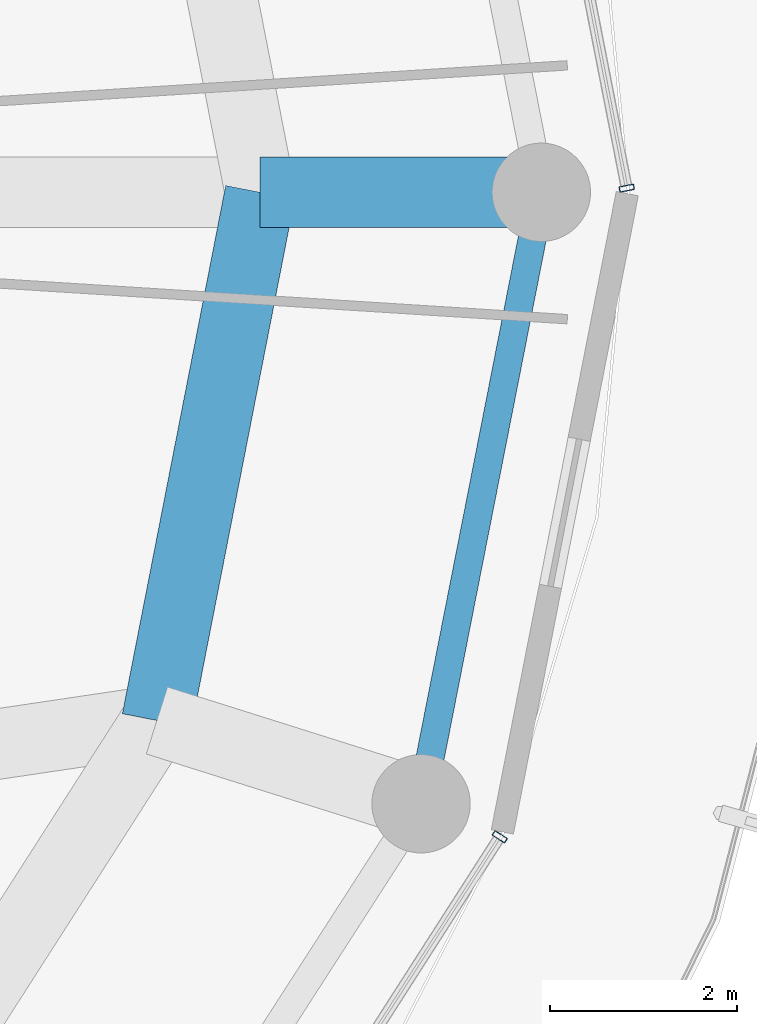
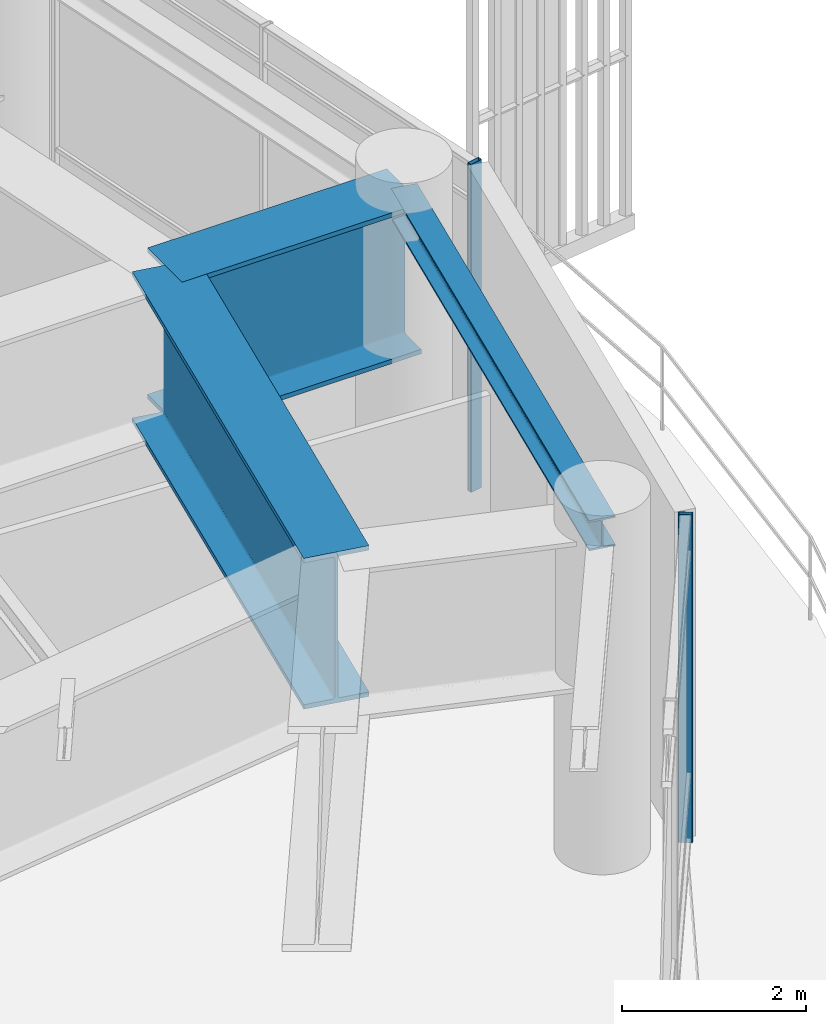
# One storey, part 13 of 29: 3 beams, 2 members, 2 elements without a shape of their own.
"""IFC4 building model written with IfcOpenShell, lengths in metres."""

from ifc_helpers import new_model, si_unit, direction, frame, origin, origin_2d, place, context, subcontext, project, spatial, hollow_rectangle, i_section, extrude, material, layer, layer_set, material_profile, profile_set, type_object, element, aggregate, save


model = new_model("IFC4")

# Units and contexts
model_context = context("Model", 3, precision=1e-05, world=origin(), true_north=direction((0.0, 1.0)))
body_context = subcontext(model_context, "Body", "Model", "MODEL_VIEW")
ifc_project = project(units=[si_unit("LENGTHUNIT", "METRE"), si_unit("AREAUNIT", "SQUARE_METRE"), si_unit("VOLUMEUNIT", "CUBIC_METRE"), si_unit("PLANEANGLEUNIT", "RADIAN"), si_unit("MASSUNIT", "GRAM", prefix="KILO")], contexts=[model_context])

# Site, building, storey
site_placement = place(None, origin())
site = spatial("IfcSite", under=ifc_project, at=site_placement, CompositionType="ELEMENT")
building_placement = place(site_placement, origin())
building = spatial("IfcBuilding", under=site, at=building_placement, Name="Kelanora Arch Commons", CompositionType="ELEMENT")
storey_placement = place(building_placement, frame((0.0, 0.0, 238.199951171875)))
storey = spatial("IfcBuildingStorey", under=building, at=storey_placement, Name="L61", CompositionType="ELEMENT", Elevation=238.199951171875)

# Beams
ifc_material_1 = material(Name="Steel S355", Category="steel")
ifc_material_profile_1 = material_profile(ifc_material_1, i_section(OverallWidth=0.300048828125, OverallDepth=0.39990234375, WebThickness=0.013427734375, FlangeThickness=0.02392578125, FilletRadius=0.027099609375, at=origin_2d()), Name="HEB400")
ifc_profile_set_1 = profile_set([ifc_material_profile_1], Name="Steel S355")
beam_type_1 = type_object("IfcBeamType", Name="BM-SPN-Z4", PredefinedType="SPANDREL", material=ifc_profile_set_1)
beam_1_placement = place(storey_placement, frame((93.99658203125, 51.474365234375, 4.16015625), z_axis=(0.192980724826, 0.981202547819, 0.0), x_axis=(-0.981202547819, 0.192980724826, 0.0)))
element("IfcBeam", 1, at=beam_1_placement, inside=storey, type_object=beam_type_1, Name="Perimeter Spandrel Beam BS-34 L61", PredefinedType="SPANDREL", context=body_context, shape_type="SweptSolid", body=[
    extrude(i_section(OverallWidth=0.300048828125, OverallDepth=0.39990234375, WebThickness=0.013427734375, FlangeThickness=0.02392578125, FilletRadius=0.027099609375, at=origin_2d()), origin(), (0.0, 0.0, 1.0), 6.650634765625),
])
ifc_material_profile_2 = material_profile(ifc_material_1, i_section(OverallWidth=0.75, OverallDepth=2.0, WebThickness=0.034912109375, FlangeThickness=0.06005859375, FilletRadius=0.028076171875, at=origin_2d()), Name="PG2000x750")
ifc_profile_set_2 = profile_set([ifc_material_profile_2], Name="Steel S355")
beam_type_2 = type_object("IfcBeamType", Name="BM-XFER-SET", PredefinedType="USERDEFINED", material=ifc_profile_set_2)
beam_2_placement = place(storey_placement, frame((92.280029296875, 58.0, 3.360107421875), z_axis=(1.0, 0.0, 0.0), x_axis=(0.0, 1.0, 0.0)))
element("IfcBeam", 2, at=beam_2_placement, inside=storey, type_object=beam_type_2, Name="Radial Floor Girder BR-00 L61", ObjectType="TRANSFER_GIRDER", PredefinedType="USERDEFINED", context=body_context, shape_type="SweptSolid", body=[
    extrude(i_section(OverallWidth=0.75, OverallDepth=2.0, WebThickness=0.034912109375, FlangeThickness=0.06005859375, FilletRadius=0.028076171875, at=origin_2d()), origin(), (0.0, 0.0, 1.0), 3.0),
])
beam_3_placement = place(storey_placement, frame((91.177490234375, 52.363525390625, 3.360107421875), z_axis=(0.191969774604, 0.981400838413, 0.0), x_axis=(-0.981400838413, 0.191969774604, 0.0)))
element("IfcBeam", 3, at=beam_3_placement, inside=storey, type_object=beam_type_2, Name="Setback Inner Transfer Ring BSI-34 L61", ObjectType="TRANSFER_GIRDER", PredefinedType="USERDEFINED", context=body_context, shape_type="SweptSolid", body=[
    extrude(i_section(OverallWidth=0.75, OverallDepth=2.0, WebThickness=0.034912109375, FlangeThickness=0.06005859375, FilletRadius=0.028076171875, at=origin_2d()), origin(), (0.0, 0.0, 1.0), 5.743408203125),
])

# Curtain wall, member
ifc_material_2 = material(Name="Terracotta ceramic-fritted low-E glass and aluminium", Category="masonry")
ifc_layer = layer(ifc_material_2, 0.175048828125)
ifc_layer_set = layer_set([ifc_layer], Name="Terracotta ceramic-fritted low-E glass and aluminium")
curtain_wall_type = type_object("IfcCurtainWallType", Name="CW-SYS-02", PredefinedType="NOTDEFINED", material=ifc_layer_set)
curtain_wall_1_placement = place(storey_placement, origin())
curtain_wall_1 = element("IfcCurtainWall", 4, at=curtain_wall_1_placement, inside=storey, type_object=curtain_wall_type, Name="Unitised Curtain Wall L61-B00", PredefinedType="NOTDEFINED")
ifc_material_3 = material(Name="Powder-coated aluminium terracotta", Category="masonry")
ifc_material_profile_3 = material_profile(ifc_material_3, hollow_rectangle(XDim=0.159912109375, YDim=0.06005859375, WallThickness=0.0048828125, InnerFilletRadius=0.0048828125, OuterFilletRadius=0.010009765625, at=origin_2d()), Name="CWM160x60")
ifc_profile_set_3 = profile_set([ifc_material_profile_3], Name="Powder-coated aluminium terracotta")
member_type = type_object("IfcMemberType", Name="CWM-STD", PredefinedType="MULLION", material=ifc_profile_set_3)
member_1_placement = place(storey_placement, frame((96.19140625, 58.044189453125, 0.0), z_axis=(0.0, 0.0, 1.0), x_axis=(-0.981381438349, -0.192068926335, 0.0)))
member_1 = element("IfcMember", 5, at=member_1_placement, type_object=member_type, Name="CW-02 mullion 1", PredefinedType="MULLION", context=body_context, shape_type="SweptSolid", body=[
    extrude(hollow_rectangle(XDim=0.159912109375, YDim=0.06005859375, WallThickness=0.0048828125, InnerFilletRadius=0.0048828125, OuterFilletRadius=0.010009765625, at=origin_2d()), origin(), (0.0, 0.0, 1.0), 4.344970703125),
])
aggregate(curtain_wall_1, [member_1])

curtain_wall_2_placement = place(storey_placement, origin())
curtain_wall_2 = element("IfcCurtainWall", 6, at=curtain_wall_2_placement, inside=storey, type_object=curtain_wall_type, Name="Unitised Curtain Wall L61-B16", PredefinedType="NOTDEFINED")
member_2_placement = place(storey_placement, frame((94.8369140625, 51.121826171875, 0.0), z_axis=(0.0, 0.0, 1.0), x_axis=(-0.84194757539, 0.539559338994, 0.0)))
member_2 = element("IfcMember", 7, at=member_2_placement, type_object=member_type, Name="CW-02 mullion 3", PredefinedType="MULLION", context=body_context, shape_type="SweptSolid", body=[
    extrude(hollow_rectangle(XDim=0.159912109375, YDim=0.06005859375, WallThickness=0.0048828125, InnerFilletRadius=0.0048828125, OuterFilletRadius=0.010009765625, at=origin_2d()), origin(), (0.0, 0.0, 1.0), 4.344970703125),
])
aggregate(curtain_wall_2, [member_2])

save(model, "model.ifc")
